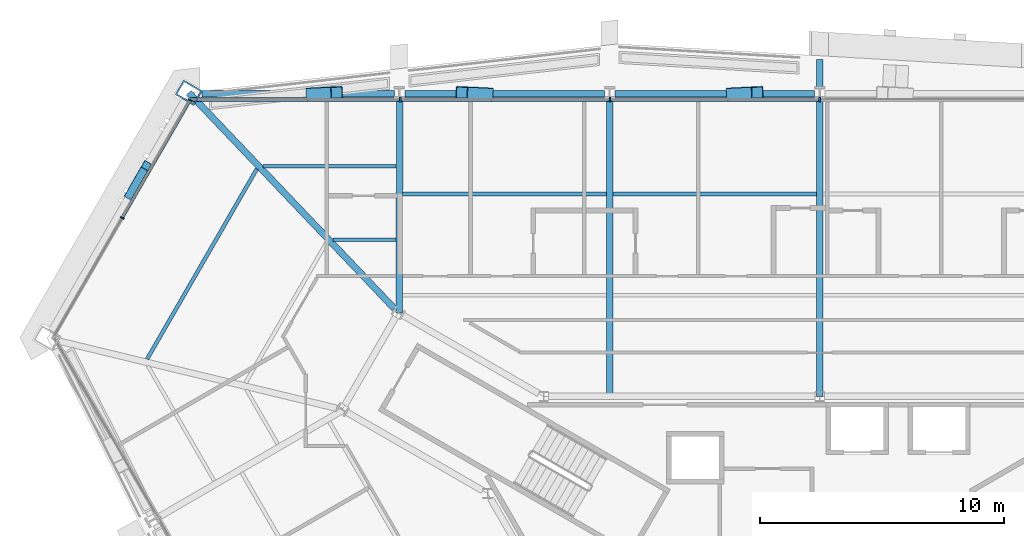
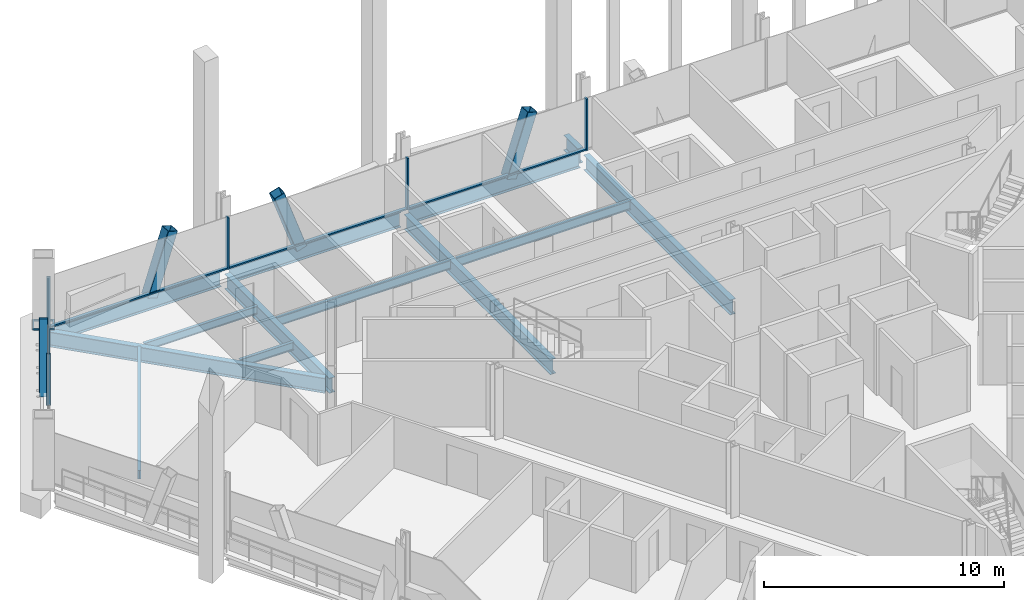
# One storey, part 8 of 19: 14 members, 13 beams, 2 elements without a shape of their own.
"""IFC4 building model written with IfcOpenShell, lengths in metres."""

from ifc_helpers import new_model, si_unit, direction, frame, origin, origin_2d, place, context, subcontext, project, spatial, rectangle, hollow_rectangle, i_section, extrude, material, material_profile, profile_set, type_object, element, aggregate, save


model = new_model("IFC4")

# Units and contexts
model_context = context("Model", 3, precision=1e-05, world=origin(), true_north=direction((0.0, 1.0)))
body_context = subcontext(model_context, "Body", "Model", "MODEL_VIEW")
ifc_project = project(units=[si_unit("LENGTHUNIT", "METRE"), si_unit("AREAUNIT", "SQUARE_METRE"), si_unit("VOLUMEUNIT", "CUBIC_METRE"), si_unit("PLANEANGLEUNIT", "RADIAN"), si_unit("MASSUNIT", "GRAM", prefix="KILO")], contexts=[model_context])

# Site, building, storey
site_placement = place(None, origin())
site = spatial("IfcSite", under=ifc_project, at=site_placement, CompositionType="ELEMENT")
building_placement = place(site_placement, origin())
building = spatial("IfcBuilding", under=site, at=building_placement, Name="Verrane Prism Tower", CompositionType="ELEMENT")
storey_placement = place(building_placement, frame((0.0, 0.0, 76.39990234375)))
storey = spatial("IfcBuildingStorey", under=building, at=storey_placement, Name="L17", CompositionType="ELEMENT", Elevation=76.39990234375)

# Member
ifc_material_1 = material(Name="Steel A500 Grade C", Category="steel")
ifc_material_profile_1 = material_profile(ifc_material_1, hollow_rectangle(XDim=0.355712890625, YDim=0.355712890625, WallThickness=0.0126953125, InnerFilletRadius=0.00634765625, OuterFilletRadius=0.01904296875, at=origin_2d()), Name="HSS14x14x1/2")
ifc_profile_set_1 = profile_set([ifc_material_profile_1], Name="Steel A500 Grade C")
member_type_1 = type_object("IfcMemberType", Name="Chamfer brace HSS14x14x1/2", PredefinedType="BRACE", material=ifc_profile_set_1)
member_1_placement = place(storey_placement, frame((-28.3212890625, 17.469482421875, -0.2451171875), z_axis=(0.209320899333, 0.363137808433, 0.907918329581), x_axis=(-0.866373148104, 0.499397204883, 0.0)))
element("IfcMember", 1, at=member_1_placement, inside=storey, type_object=member_type_1, Name="Chamfer brace NW0 L17", PredefinedType="BRACE", context=body_context, shape_type="SweptSolid", body=[
    extrude(hollow_rectangle(XDim=0.355712890625, YDim=0.355712890625, WallThickness=0.0126953125, InnerFilletRadius=0.00634765625, OuterFilletRadius=0.01904296875, at=origin_2d()), origin(), (0.0, 0.0, 1.0), 3.307861328125),
])

# Beam
ifc_material_2 = material(Name="Steel A992", Category="steel")
ifc_material_profile_2 = material_profile(ifc_material_2, i_section(OverallWidth=0.2666015625, OverallDepth=0.76708984375, WebThickness=0.014892578125, FlangeThickness=0.023681640625, FilletRadius=0.0166015625, at=origin_2d()), Name="W30x124")
ifc_profile_set_2 = profile_set([ifc_material_profile_2], Name="Steel A992")
beam_type_1 = type_object("IfcBeamType", Name="Corner girder W30x124", PredefinedType="BEAM", material=ifc_profile_set_2)
beam_1_placement = place(storey_placement, frame((-25.897216796875, 21.6669921875, -0.603515625), z_axis=(0.689657664947, -0.724135557185, 0.0), x_axis=(0.724135557185, 0.689657664947, 0.0)))
element("IfcBeam", 2, at=beam_1_placement, inside=storey, type_object=beam_type_1, Name="Corner girder L17", PredefinedType="BEAM", context=body_context, shape_type="SweptSolid", body=[
    extrude(i_section(OverallWidth=0.2666015625, OverallDepth=0.76708984375, WebThickness=0.014892578125, FlangeThickness=0.023681640625, FilletRadius=0.0166015625, at=origin_2d()), origin(), (0.0, 0.0, 1.0), 12.22900390625),
])

# Members
ifc_material_3 = material(Name="Steel A1085 Grade A", Category="steel")
ifc_material_profile_3 = material_profile(ifc_material_3, hollow_rectangle(XDim=0.508056640625, YDim=0.508056640625, WallThickness=0.025390625, InnerFilletRadius=0.0126953125, OuterFilletRadius=0.0380859375, at=origin_2d()), Name="HSS20x20x1")
ifc_profile_set_3 = profile_set([ifc_material_profile_3], Name="Steel A1085 Grade A")
member_type_2 = type_object("IfcMemberType", Name="Facade brace HSS20x20x1", PredefinedType="BRACE", material=ifc_profile_set_3)
member_2_placement = place(storey_placement, frame((-3.59326171875, 21.619140625, -0.242431640625), z_axis=(0.322953306018, 0.015974860321, 0.946280067406), x_axis=(-0.049404518678, 0.998778851165, 0.0)))
element("IfcMember", 3, at=member_2_placement, inside=storey, type_object=member_type_2, Name="Facade brace N3 L17", PredefinedType="BRACE", context=body_context, shape_type="SweptSolid", body=[
    extrude(hollow_rectangle(XDim=0.508056640625, YDim=0.508056640625, WallThickness=0.025390625, InnerFilletRadius=0.0126953125, OuterFilletRadius=0.0380859375, at=origin_2d()), origin(), (0.0, 0.0, 1.0), 3.1787109375),
])
member_3_placement = place(storey_placement, frame((-13.64892578125, 21.619140625, -0.242431640625), z_axis=(-0.327482390423, 0.015948568768, 0.944722672067), x_axis=(-0.048642888476, -0.998816234049, 0.0)))
element("IfcMember", 4, at=member_3_placement, inside=storey, type_object=member_type_2, Name="Facade brace N4 L17", PredefinedType="BRACE", context=body_context, shape_type="SweptSolid", body=[
    extrude(hollow_rectangle(XDim=0.508056640625, YDim=0.508056640625, WallThickness=0.025390625, InnerFilletRadius=0.0126953125, OuterFilletRadius=0.0380859375, at=origin_2d()), origin(), (0.0, 0.0, 1.0), 3.18408203125),
])
member_4_placement = place(storey_placement, frame((-20.839599609375, 21.619140625, -0.242431640625), z_axis=(0.318678397401, 0.015999301632, 0.94772786251), x_axis=(-0.050142012169, 0.998742098149, 0.0)))
element("IfcMember", 5, at=member_4_placement, inside=storey, type_object=member_type_2, Name="Facade brace N5 L17", PredefinedType="BRACE", context=body_context, shape_type="SweptSolid", body=[
    extrude(hollow_rectangle(XDim=0.508056640625, YDim=0.508056640625, WallThickness=0.025390625, InnerFilletRadius=0.0126953125, OuterFilletRadius=0.0380859375, at=origin_2d()), origin(), (0.0, 0.0, 1.0), 3.174072265625),
])

# Beams
ifc_material_4 = material(Name="Steel A992", Category="steel")
ifc_material_profile_4 = material_profile(ifc_material_4, i_section(OverallWidth=0.140380859375, OverallDepth=0.40380859375, WebThickness=0.007080078125, FlangeThickness=0.01123046875, FilletRadius=0.01025390625, at=origin_2d()), Name="W16x31")
ifc_profile_set_4 = profile_set([ifc_material_profile_4], Name="Steel A992")
beam_type_2 = type_object("IfcBeamType", Name="Floor beam W16x31", PredefinedType="BEAM", material=ifc_profile_set_4)
beam_2_placement = place(storey_placement, frame((-19.969482421875, 15.63671875, -0.36181640625), z_axis=(1.0, 0.0, 0.0), x_axis=(0.0, 1.0, 0.0)))
element("IfcBeam", 6, at=beam_2_placement, inside=storey, type_object=beam_type_2, Name="Floor beam L17", PredefinedType="BEAM", context=body_context, shape_type="SweptSolid", body=[
    extrude(i_section(OverallWidth=0.140380859375, OverallDepth=0.40380859375, WebThickness=0.007080078125, FlangeThickness=0.01123046875, FilletRadius=0.01025390625, at=origin_2d()), origin(), (0.0, 0.0, 1.0), 2.575927734375),
])
beam_3_placement = place(storey_placement, frame((-22.842529296875, 18.6533203125, -0.36181640625), z_axis=(1.0, 0.0, 0.0), x_axis=(0.0, 1.0, 0.0)))
element("IfcBeam", 7, at=beam_3_placement, inside=storey, type_object=beam_type_2, Name="Floor beam L17", PredefinedType="BEAM", context=body_context, shape_type="SweptSolid", body=[
    extrude(i_section(OverallWidth=0.140380859375, OverallDepth=0.40380859375, WebThickness=0.007080078125, FlangeThickness=0.01123046875, FilletRadius=0.01025390625, at=origin_2d()), origin(), (0.0, 0.0, 1.0), 5.448974609375),
])
ifc_material_5 = material(Name="Steel A992", Category="steel")
ifc_material_profile_5 = material_profile(ifc_material_5, i_section(OverallWidth=0.15234375, OverallDepth=0.449462890625, WebThickness=0.007568359375, FlangeThickness=0.0107421875, FilletRadius=0.01025390625, at=origin_2d()), Name="W18x35")
ifc_profile_set_5 = profile_set([ifc_material_profile_5], Name="Steel A992")
beam_type_3 = type_object("IfcBeamType", Name="Floor beam W18x35", PredefinedType="BEAM", material=ifc_profile_set_5)
for number, where, z_axis, x_axis, name in (
    (8, (-8.49658203125, 17.51318359375, -0.384765625), (1.0, 0.0, 0.0), (0.0, 1.0, 0.0), "Floor beam L17"),
    (9, (-17.12646484375, 17.51318359375, -0.384765625), (1.0, 0.0, 0.0), (0.0, 1.0, 0.0), "Floor beam L17"),
):
    element("IfcBeam", number, at=place(storey_placement, frame(where, z_axis=z_axis, x_axis=x_axis)), inside=storey, type_object=beam_type_3, Name=name, PredefinedType="BEAM", context=body_context, shape_type="SweptSolid", body=[
        extrude(i_section(OverallWidth=0.15234375, OverallDepth=0.449462890625, WebThickness=0.007568359375, FlangeThickness=0.0107421875, FilletRadius=0.01025390625, at=origin_2d()), origin(), (0.0, 0.0, 1.0), 8.363037109375),
    ])
beam_4_placement = place(storey_placement, frame((-27.60888671875, 10.735107421875, -0.384765625), z_axis=(0.500017147334, 0.86601550354, 0.0), x_axis=(-0.86601550354, 0.500017147334, 0.0)))
element("IfcBeam", 10, at=beam_4_placement, inside=storey, type_object=beam_type_3, Name="Floor beam L17", PredefinedType="BEAM", context=body_context, shape_type="SweptSolid", body=[
    extrude(i_section(OverallWidth=0.15234375, OverallDepth=0.449462890625, WebThickness=0.007568359375, FlangeThickness=0.0107421875, FilletRadius=0.01025390625, at=origin_2d()), origin(), (0.0, 0.0, 1.0), 9.011962890625),
])

# Member
ifc_material_6 = material(Name="Steel A572 Grade 50", Category="steel")
ifc_material_profile_6 = material_profile(ifc_material_6, hollow_rectangle(XDim=0.699951171875, YDim=0.89990234375, WallThickness=0.06494140625, at=origin_2d()), Name="BOX 900x700x65")
ifc_profile_set_6 = profile_set([ifc_material_profile_6], Name="Steel A572 Grade 50")
member_type_3 = type_object("IfcMemberType", Name="Kink node BOX 900x700x65", PredefinedType="COLLAR", material=ifc_profile_set_6)
member_5_placement = place(storey_placement, frame((-25.89892578125, 21.66845703125, -0.039794921875), z_axis=(0.0, 0.0, 1.0), x_axis=(0.5, 0.866025403784, 0.0)))
element("IfcMember", 11, at=member_5_placement, inside=storey, type_object=member_type_3, Name="Kink node MC3 L17", PredefinedType="COLLAR", context=body_context, shape_type="SweptSolid", body=[
    extrude(hollow_rectangle(XDim=0.699951171875, YDim=0.89990234375, WallThickness=0.06494140625, at=origin_2d()), origin(), (0.0, 0.0, 1.0), 0.079833984375),
])

# Curtain wall, members
ifc_material_7 = material(Name="Aluminium framed insulated glazing", Category="aluminium")
curtain_wall_type_1 = type_object("IfcCurtainWallType", Name="Curtain wall CW-B 5600 module", PredefinedType="NOTDEFINED", material=ifc_material_7)
curtain_wall_1_placement = place(storey_placement, origin())
curtain_wall_1 = element("IfcCurtainWall", 12, at=curtain_wall_1_placement, inside=storey, type_object=curtain_wall_type_1, Name="Glazed curtain wall north-west corner L17", PredefinedType="NOTDEFINED")
ifc_material_8 = material(Name="Aluminium alloy 6063-T6", Category="aluminium")
ifc_material_profile_7 = material_profile(ifc_material_8, rectangle(XDim=0.159912109375, YDim=0.06005859375, at=origin_2d()), Name="Mullion 60x160 aluminium")
ifc_profile_set_7 = profile_set([ifc_material_profile_7], Name="Aluminium alloy 6063-T6")
member_type_4 = type_object("IfcMemberType", Name="Mullion 60x160 aluminium", PredefinedType="MULLION", material=ifc_profile_set_7)
member_6_placement = place(storey_placement, frame((-25.83740234375, 21.364990234375, 0.0), z_axis=(0.0, 0.0, 1.0), x_axis=(0.866026293788, -0.499998458466, 0.0)))
member_6 = element("IfcMember", 13, at=member_6_placement, type_object=member_type_4, Name="CW17.3 mullion 1", PredefinedType="MULLION", context=body_context, shape_type="SweptSolid", body=[
    extrude(rectangle(XDim=0.159912109375, YDim=0.06005859375, at=origin_2d()), origin(), (0.0, 0.0, 1.0), 2.613037109375),
])
member_7_placement = place(storey_placement, frame((-28.62939453125, 16.529296875, 0.0), z_axis=(0.0, 0.0, 1.0), x_axis=(0.866026293788, -0.499998458466, 0.0)))
member_7 = element("IfcMember", 14, at=member_7_placement, type_object=member_type_4, Name="CW17.3 mullion 2", PredefinedType="MULLION", context=body_context, shape_type="SweptSolid", body=[
    extrude(rectangle(XDim=0.159912109375, YDim=0.06005859375, at=origin_2d()), origin(), (0.0, 0.0, 1.0), 2.613037109375),
])

ifc_material_9 = material(Name="Aluminium framed insulated glazing", Category="aluminium")
curtain_wall_type_2 = type_object("IfcCurtainWallType", Name="Curtain wall CW-A 8400 module", PredefinedType="NOTDEFINED", material=ifc_material_9)
curtain_wall_2_placement = place(storey_placement, origin())
curtain_wall_2 = element("IfcCurtainWall", 15, at=curtain_wall_2_placement, inside=storey, type_object=curtain_wall_type_2, Name="Glazed curtain wall north face L17", PredefinedType="NOTDEFINED")
ifc_material_10 = material(Name="Aluminium alloy 6063-T6", Category="aluminium")
ifc_material_profile_8 = material_profile(ifc_material_10, rectangle(XDim=0.199951171875, YDim=0.070068359375, at=origin_2d()), Name="Mullion 70x200 aluminium")
ifc_profile_set_8 = profile_set([ifc_material_profile_8], Name="Aluminium alloy 6063-T6")
member_type_5 = type_object("IfcMemberType", Name="Mullion 70x200 aluminium", PredefinedType="MULLION", material=ifc_profile_set_8)
member_8_placement = place(storey_placement, frame((0.0, 21.39111328125, 0.0), z_axis=(0.0, 0.0, 1.0), x_axis=(0.0, -1.0, 0.0)))
member_8 = element("IfcMember", 16, at=member_8_placement, type_object=member_type_5, Name="CW17.2 mullion 4", PredefinedType="MULLION", context=body_context, shape_type="SweptSolid", body=[
    extrude(rectangle(XDim=0.199951171875, YDim=0.070068359375, at=origin_2d()), origin(), (0.0, 0.0, 1.0), 2.613037109375),
])
member_9_placement = place(storey_placement, frame((-8.607421875, 21.39111328125, 0.0), z_axis=(0.0, 0.0, 1.0), x_axis=(0.0, -1.0, 0.0)))
member_9 = element("IfcMember", 17, at=member_9_placement, type_object=member_type_5, Name="CW17.2 mullion 5", PredefinedType="MULLION", context=body_context, shape_type="SweptSolid", body=[
    extrude(rectangle(XDim=0.199951171875, YDim=0.070068359375, at=origin_2d()), origin(), (0.0, 0.0, 1.0), 2.613037109375),
])
member_10_placement = place(storey_placement, frame((-17.21484375, 21.39111328125, 0.0), z_axis=(0.0, 0.0, 1.0), x_axis=(0.0, -1.0, 0.0)))
member_10 = element("IfcMember", 18, at=member_10_placement, type_object=member_type_5, Name="CW17.2 mullion 6", PredefinedType="MULLION", context=body_context, shape_type="SweptSolid", body=[
    extrude(rectangle(XDim=0.199951171875, YDim=0.070068359375, at=origin_2d()), origin(), (0.0, 0.0, 1.0), 2.613037109375),
])

# Beams
ifc_material_11 = material(Name="Steel A992", Category="steel")
ifc_material_profile_9 = material_profile(ifc_material_11, i_section(OverallWidth=0.2666015625, OverallDepth=0.76708984375, WebThickness=0.014892578125, FlangeThickness=0.023681640625, FilletRadius=0.0166015625, at=origin_2d()), Name="W30x124")
ifc_profile_set_9 = profile_set([ifc_material_profile_9], Name="Steel A992")
beam_type_4 = type_object("IfcBeamType", Name="Radial girder W30x124", PredefinedType="BEAM", material=ifc_profile_set_9)
for number, where, z_axis, x_axis, name in (
    (19, (0.0, 21.3701171875, -0.603515625), (0.0, -1.0, 0.0), (1.0, 0.0, 0.0), "Radial girder L17"),
    (20, (-8.6201171875, 21.3701171875, -0.603515625), (-0.00080242306, -0.999999678059, 0.0), (0.999999678059, -0.00080242306, 0.0), "Radial girder L17"),
):
    element("IfcBeam", number, at=place(storey_placement, frame(where, z_axis=z_axis, x_axis=x_axis)), inside=storey, type_object=beam_type_4, Name=name, PredefinedType="BEAM", context=body_context, shape_type="SweptSolid", body=[
        extrude(i_section(OverallWidth=0.2666015625, OverallDepth=0.76708984375, WebThickness=0.014892578125, FlangeThickness=0.023681640625, FilletRadius=0.0166015625, at=origin_2d()), origin(), (0.0, 0.0, 1.0), 12.170166015625),
    ])
beam_5_placement = place(storey_placement, frame((-17.241943359375, 21.3701171875, -0.603515625), z_axis=(-0.002063979092, -0.999997869993, 0.0), x_axis=(0.999997869993, -0.002063979092, 0.0)))
element("IfcBeam", 21, at=beam_5_placement, inside=storey, type_object=beam_type_4, Name="Radial girder L17", PredefinedType="BEAM", context=body_context, shape_type="SweptSolid", body=[
    extrude(i_section(OverallWidth=0.2666015625, OverallDepth=0.76708984375, WebThickness=0.014892578125, FlangeThickness=0.023681640625, FilletRadius=0.0166015625, at=origin_2d()), origin(), (0.0, 0.0, 1.0), 8.753173828125),
])
beam_6_placement = place(storey_placement, frame((0.0, 21.864013671875, -0.603515625), z_axis=(0.0, 1.0, 0.0), x_axis=(-1.0, 0.0, 0.0)))
element("IfcBeam", 22, at=beam_6_placement, inside=storey, type_object=beam_type_4, Name="Cantilever girder L17", PredefinedType="BEAM", context=body_context, shape_type="SweptSolid", body=[
    extrude(i_section(OverallWidth=0.2666015625, OverallDepth=0.76708984375, WebThickness=0.014892578125, FlangeThickness=0.023681640625, FilletRadius=0.0166015625, at=origin_2d()), origin(), (0.0, 0.0, 1.0), 1.167724609375),
])
ifc_material_12 = material(Name="Steel A992", Category="steel")
ifc_material_profile_10 = material_profile(ifc_material_12, i_section(OverallWidth=0.2666015625, OverallDepth=0.7568359375, WebThickness=0.013916015625, FlangeThickness=0.019287109375, FilletRadius=0.0166015625, at=origin_2d()), Name="W30x108")
ifc_profile_set_10 = profile_set([ifc_material_profile_10], Name="Steel A992")
beam_type_5 = type_object("IfcBeamType", Name="Spandrel beam W30x108", PredefinedType="SPANDREL", material=ifc_profile_set_10)
beam_7_placement = place(storey_placement, frame((-0.2158203125, 21.619140625, -0.538330078125), z_axis=(-1.0, 0.0, 0.0), x_axis=(0.0, -1.0, 0.0)))
element("IfcBeam", 23, at=beam_7_placement, inside=storey, type_object=beam_type_5, Name="Spandrel beam L17", PredefinedType="SPANDREL", context=body_context, shape_type="SweptSolid", body=[
    extrude(i_section(OverallWidth=0.2666015625, OverallDepth=0.7568359375, WebThickness=0.013916015625, FlangeThickness=0.019287109375, FilletRadius=0.0166015625, at=origin_2d()), origin(), (0.0, 0.0, 1.0), 8.18798828125),
])
beam_8_placement = place(storey_placement, frame((-8.835693359375, 21.619140625, -0.538330078125), z_axis=(-1.0, 0.0, 0.0), x_axis=(0.0, -1.0, 0.0)))
element("IfcBeam", 24, at=beam_8_placement, inside=storey, type_object=beam_type_5, Name="Spandrel beam L17", PredefinedType="SPANDREL", context=body_context, shape_type="SweptSolid", body=[
    extrude(i_section(OverallWidth=0.2666015625, OverallDepth=0.7568359375, WebThickness=0.013916015625, FlangeThickness=0.019287109375, FilletRadius=0.0166015625, at=origin_2d()), origin(), (0.0, 0.0, 1.0), 8.189697265625),
])
beam_9_placement = place(storey_placement, frame((-17.457275390625, 21.619140625, -0.538330078125), z_axis=(-1.0, 0.0, 0.0), x_axis=(0.0, -1.0, 0.0)))
element("IfcBeam", 25, at=beam_9_placement, inside=storey, type_object=beam_type_5, Name="Spandrel beam L17", PredefinedType="SPANDREL", context=body_context, shape_type="SweptSolid", body=[
    extrude(i_section(OverallWidth=0.2666015625, OverallDepth=0.7568359375, WebThickness=0.013916015625, FlangeThickness=0.019287109375, FilletRadius=0.0166015625, at=origin_2d()), origin(), (0.0, 0.0, 1.0), 7.892578125),
])

# Member
ifc_material_13 = material(Name="Aluminium alloy 6063-T6", Category="aluminium")
ifc_material_profile_11 = material_profile(ifc_material_13, rectangle(XDim=0.1201171875, YDim=0.06005859375, at=origin_2d()), Name="Transom 60x120 aluminium")
ifc_profile_set_11 = profile_set([ifc_material_profile_11], Name="Aluminium alloy 6063-T6")
member_type_6 = type_object("IfcMemberType", Name="Transom 60x120 aluminium", PredefinedType="USERDEFINED", material=ifc_profile_set_11)
member_11_placement = place(storey_placement, frame((-25.852294921875, 21.339111328125, 0.030029296875), z_axis=(-0.499994082372, -0.866028820302, 0.0), x_axis=(0.866028820302, -0.499994082372, 0.0)))
member_11 = element("IfcMember", 26, at=member_11_placement, type_object=member_type_6, Name="CW17.3 transom 1", ObjectType="TRANSOM", PredefinedType="USERDEFINED", context=body_context, shape_type="SweptSolid", body=[
    extrude(rectangle(XDim=0.1201171875, YDim=0.06005859375, at=origin_2d()), origin(), (0.0, 0.0, 1.0), 5.52392578125),
])

aggregate(curtain_wall_1, [member_6, member_7, member_11])

ifc_material_14 = material(Name="Aluminium alloy 6063-T6", Category="aluminium")
ifc_material_profile_12 = material_profile(ifc_material_14, rectangle(XDim=0.14990234375, YDim=0.070068359375, at=origin_2d()), Name="Transom 70x150 aluminium")
ifc_profile_set_12 = profile_set([ifc_material_profile_12], Name="Aluminium alloy 6063-T6")
member_type_7 = type_object("IfcMemberType", Name="Transom 70x150 aluminium", PredefinedType="USERDEFINED", material=ifc_profile_set_12)
member_12_placement = place(storey_placement, frame((-0.034912109375, 21.39111328125, 0.03515625), z_axis=(-1.0, 0.0, 0.0), x_axis=(0.0, -1.0, 0.0)))
member_12 = element("IfcMember", 27, at=member_12_placement, type_object=member_type_7, Name="CW17.2 transom 4", ObjectType="TRANSOM", PredefinedType="USERDEFINED", context=body_context, shape_type="SweptSolid", body=[
    extrude(rectangle(XDim=0.14990234375, YDim=0.070068359375, at=origin_2d()), origin(), (0.0, 0.0, 1.0), 8.53759765625),
])

member_13_placement = place(storey_placement, frame((-8.642578125, 21.39111328125, 0.03515625), z_axis=(-1.0, 0.0, 0.0), x_axis=(0.0, -1.0, 0.0)))
member_13 = element("IfcMember", 28, at=member_13_placement, type_object=member_type_7, Name="CW17.2 transom 5", ObjectType="TRANSOM", PredefinedType="USERDEFINED", context=body_context, shape_type="SweptSolid", body=[
    extrude(rectangle(XDim=0.14990234375, YDim=0.070068359375, at=origin_2d()), origin(), (0.0, 0.0, 1.0), 8.537353515625),
])

member_14_placement = place(storey_placement, frame((-17.25, 21.39111328125, 0.03515625), z_axis=(-1.0, 0.0, 0.0), x_axis=(0.0, -1.0, 0.0)))
member_14 = element("IfcMember", 29, at=member_14_placement, type_object=member_type_7, Name="CW17.2 transom 6", ObjectType="TRANSOM", PredefinedType="USERDEFINED", context=body_context, shape_type="SweptSolid", body=[
    extrude(rectangle(XDim=0.14990234375, YDim=0.070068359375, at=origin_2d()), origin(), (0.0, 0.0, 1.0), 8.572509765625),
])

aggregate(curtain_wall_2, [member_8, member_9, member_10, member_12, member_13, member_14])

save(model, "model.ifc")
